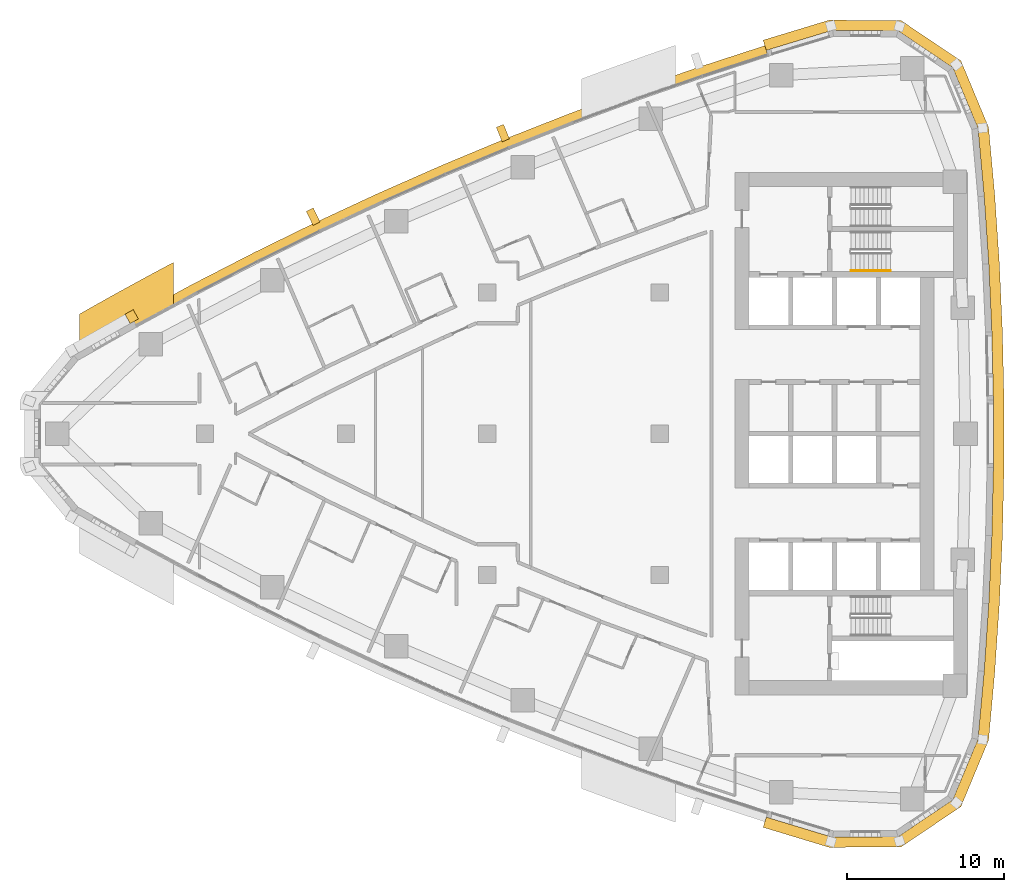
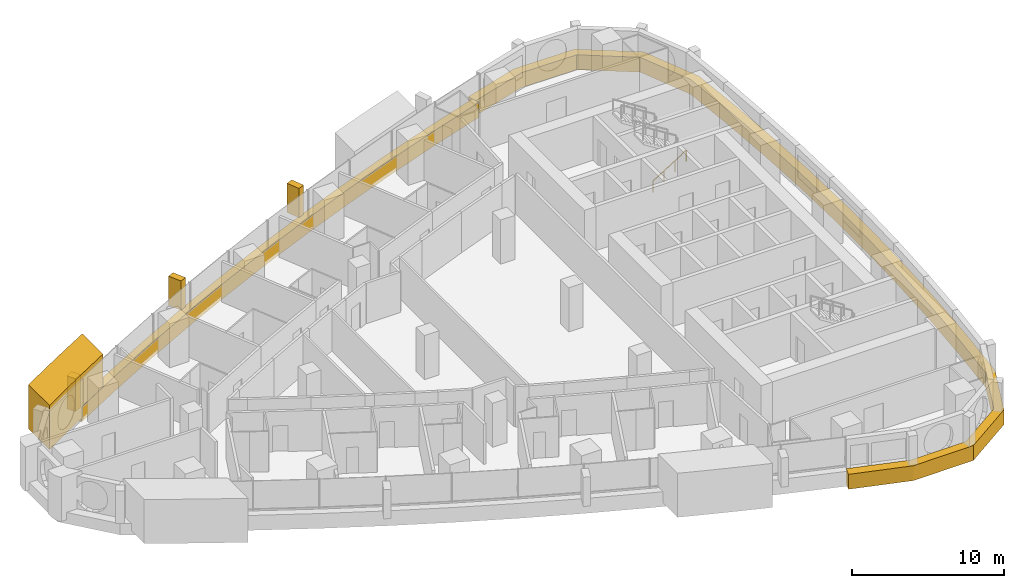
# One storey, part 16 of 17: 6 coverings, 1 railing.
"""IFC4 building model written with IfcOpenShell, lengths in metres."""

from ifc_helpers import new_model, si_unit, direction, frame, frame_2d, origin, origin_2d, place, context, subcontext, project, spatial, polyline, rectangle, circle, outline, extrude, material, layer, layer_set, type_object, element, save


model = new_model("IFC4")

# Units and contexts
model_context = context("Model", 3, precision=1e-05, world=origin(), true_north=direction((0.0, 1.0)))
body_context = subcontext(model_context, "Body", "Model", "MODEL_VIEW")
ifc_project = project(units=[si_unit("LENGTHUNIT", "METRE"), si_unit("AREAUNIT", "SQUARE_METRE"), si_unit("VOLUMEUNIT", "CUBIC_METRE"), si_unit("PLANEANGLEUNIT", "RADIAN"), si_unit("MASSUNIT", "GRAM", prefix="KILO")], contexts=[model_context])

# Site, building, storey
site_placement = place(None, origin())
site = spatial("IfcSite", under=ifc_project, at=site_placement, CompositionType="ELEMENT")
building_placement = place(site_placement, origin())
building = spatial("IfcBuilding", under=site, at=building_placement, Name="Ostrand Prow Hotel Tower", CompositionType="ELEMENT")
storey_placement = place(building_placement, frame((0.0, 0.0, 151.5)))
storey = spatial("IfcBuildingStorey", under=building, at=storey_placement, Name="L37", CompositionType="ELEMENT", Elevation=151.5)

# Coverings
ifc_material_1 = material(Name="Bronze anodised aluminium cladding", Category="aluminium")
ifc_layer_1 = layer(ifc_material_1, 0.60009765625)
ifc_layer_set_1 = layer_set([ifc_layer_1], Name="Bronze anodised aluminium cladding")
covering_type_1 = type_object("IfcCoveringType", Name="Bronze spandrel band 1200x600", PredefinedType="CLADDING", material=ifc_layer_set_1)
covering_1_placement = place(storey_placement, frame((0.0, 0.0, -0.300048828125)))
element("IfcCovering", 1, at=covering_1_placement, inside=storey, type_object=covering_type_1, Name="Spandrel band N1", PredefinedType="CLADDING", context=body_context, shape_type="SweptSolid", body=[
    extrude(outline(polyline([(51.705322265625, 24.74560546875), (47.522705078125, 23.385009765625), (43.368408203125, 21.9404296875), (39.243896484375, 20.41259765625), (35.15087890625, 18.80224609375), (31.091064453125, 17.110107421875), (27.06591796875, 15.336669921875), (23.077392578125, 13.482666015625), (19.126953125, 11.548828125), (15.21630859375, 9.535888671875), (11.3466796875, 7.445068359375), (11.63720703125, 6.920166015625), (15.49609375, 9.00537109375), (19.396240234375, 11.0126953125), (23.335693359375, 12.941162109375), (27.3134765625, 14.7900390625), (31.327392578125, 16.55859375), (35.376220703125, 18.24609375), (39.457763671875, 19.85205078125), (43.571044921875, 21.375732421875), (47.714111328125, 22.81640625), (51.88525390625, 24.17333984375), (51.705322265625, 24.74560546875)])), origin(), (0.0, 0.0, 1.0), 1.199951171875),
])
covering_2_placement = place(storey_placement, frame((0.0, 0.0, -0.300048828125)))
element("IfcCovering", 2, at=covering_2_placement, inside=storey, type_object=covering_type_1, Name="Spandrel band back 1", PredefinedType="CLADDING", context=body_context, shape_type="SweptSolid", body=[
    extrude(outline(polyline([(51.594970703125, -25.0966796875), (55.811279296875, -26.375244140625), (60.402099609375, -26.339111328125), (64.211181640625, -23.77587890625), (65.973388671875, -19.53662109375), (66.3662109375, -15.205322265625), (66.66064453125, -10.86669921875), (66.857177734375, -6.522216796875), (66.95556640625, -2.17431640625), (66.95556640625, 2.17431640625), (66.857177734375, 6.522216796875), (66.66064453125, 10.86669921875), (66.3662109375, 15.205322265625), (65.973388671875, 19.53662109375), (64.211181640625, 23.77587890625), (60.402099609375, 26.339111328125), (55.811279296875, 26.375244140625), (51.594970703125, 25.0966796875), (51.798828125, 24.447998046875), (56.001953125, 25.722412109375), (60.201171875, 25.689697265625), (63.68505859375, 23.34521484375), (65.296875, 19.467529296875), (65.688232421875, 15.151611328125), (65.981689453125, 10.828125), (66.177490234375, 6.4990234375), (66.275634765625, 2.166748046875), (66.275634765625, -2.166748046875), (66.177490234375, -6.4990234375), (65.981689453125, -10.828125), (65.688232421875, -15.151611328125), (65.296875, -19.467529296875), (63.68505859375, -23.34521484375), (60.201171875, -25.689697265625), (56.001953125, -25.722412109375), (51.798828125, -24.447998046875), (51.594970703125, -25.0966796875)])), origin(), (0.0, 0.0, 1.0), 1.199951171875),
])
ifc_material_2 = material(Name="Limestone cladding", Category="masonry")
ifc_layer_2 = layer(ifc_material_2, 5.0)
ifc_layer_set_2 = layer_set([ifc_layer_2], Name="Limestone cladding")
covering_type_2 = type_object("IfcCoveringType", Name="Portal jamb pilaster limestone", PredefinedType="CLADDING", material=ifc_layer_set_2)
covering_3_placement = place(storey_placement, origin())
element("IfcCovering", 3, at=covering_3_placement, inside=storey, type_object=covering_type_2, Name="Portal jamb NA L37", PredefinedType="CLADDING", context=body_context, shape_type="SweptSolid", body=[
    extrude(outline(polyline([(8.0, 4.861572265625), (9.0, 5.436767578125), (10.0, 6.0048828125), (11.0, 6.566162109375), (12.0, 7.12060546875), (13.0, 7.66796875), (14.0, 8.208740234375), (14.0, 10.92919921875), (13.0, 10.39599609375), (12.0, 9.856201171875), (11.0, 9.3095703125), (10.0, 8.75634765625), (9.0, 8.1962890625), (8.0, 7.62939453125), (8.0, 4.861572265625)])), origin(), (0.0, 0.0, 1.0), 3.550048828125),
])
ifc_material_3 = material(Name="Limestone cladding", Category="masonry")
ifc_layer_3 = layer(ifc_material_3, 0.5)
ifc_layer_set_3 = layer_set([ifc_layer_3], Name="Limestone cladding")
covering_type_3 = type_object("IfcCoveringType", Name="Precast stone fin 500x900", PredefinedType="CLADDING", material=ifc_layer_set_3)
covering_4_placement = place(storey_placement, frame((35.188232421875, 18.709716796875, 0.89990234375), z_axis=(0.0, 0.0, 1.0), x_axis=(-0.375302653349, 0.926902324082, 0.0)))
element("IfcCovering", 4, at=covering_4_placement, inside=storey, type_object=covering_type_3, Name="Stone fin N 5", PredefinedType="CLADDING", context=body_context, shape_type="SweptSolid", body=[
    extrude(rectangle(XDim=0.999755859375, YDim=0.5, at=frame_2d((0.5, 0.0))), origin(), (0.0, 0.0, 1.0), 2.35009765625),
])
covering_5_placement = place(storey_placement, frame((23.12060546875, 13.392333984375, 0.89990234375), z_axis=(0.0, 0.0, 1.0), x_axis=(-0.430634686673, 0.902526324621, 0.0)))
element("IfcCovering", 5, at=covering_5_placement, inside=storey, type_object=covering_type_3, Name="Stone fin N 8", PredefinedType="CLADDING", context=body_context, shape_type="SweptSolid", body=[
    extrude(rectangle(XDim=1.0, YDim=0.5, at=frame_2d((0.5, 0.0))), origin(), (0.0, 0.0, 1.0), 2.35009765625),
])
ifc_material_4 = material(Name="Limestone cladding", Category="masonry")
ifc_layer_4 = layer(ifc_material_4, 0.60009765625)
ifc_layer_set_4 = layer_set([ifc_layer_4], Name="Limestone cladding")
covering_type_4 = type_object("IfcCoveringType", Name="Precast stone prow rib 600x600", PredefinedType="CLADDING", material=ifc_layer_set_4)
covering_6_placement = place(storey_placement, frame((11.497802734375, 7.171875, 0.60009765625), z_axis=(0.0, 0.0, 1.0), x_axis=(-0.484301161624, 0.874901357211, 0.0)))
element("IfcCovering", 6, at=covering_6_placement, inside=storey, type_object=covering_type_4, Name="Stone prow rib 1", PredefinedType="CLADDING", context=body_context, shape_type="SweptSolid", body=[
    extrude(rectangle(XDim=0.679931640625, YDim=0.60009765625, at=frame_2d((0.33984375, 0.0))), origin(), (0.0, 0.0, 1.0), 2.64990234375),
])

# Railing
ifc_material_5 = material(Name="Stainless steel", Category="steel")
railing_type = type_object("IfcRailingType", Name="Stair handrail 900", PredefinedType="HANDRAIL", material=ifc_material_5)
railing_placement = place(storey_placement, frame((57.199951171875, 10.39990234375, 0.177490234375)))
element("IfcRailing", 7, at=railing_placement, inside=storey, type_object=railing_type, Name="L37 ST1C stair handrail 1", PredefinedType="HANDRAIL", context=body_context, shape_type="SweptSolid", body=[
    extrude(circle(Radius=0.02392578125, at=origin_2d()), frame((0.0, 0.0, 0.8759765625), z_axis=(0.84460694969, 0.0, 0.535386869969), x_axis=(0.0, 1.0, 0.0)), (0.0, 0.0, 1.0), 2.983642578125),
    extrude(circle(Radius=0.02099609375, at=origin_2d()), origin(), (0.0, 0.0, 1.0), 0.851806640625),
    extrude(circle(Radius=0.02099609375, at=origin_2d()), frame((0.840087890625, 0.0, 0.532470703125)), (0.0, 0.0, 1.0), 0.851806640625),
    extrude(circle(Radius=0.02099609375, at=origin_2d()), frame((1.679931640625, 0.0, 1.06494140625)), (0.0, 0.0, 1.0), 0.851806640625),
    extrude(circle(Radius=0.02099609375, at=origin_2d()), frame((2.52001953125, 0.0, 1.597412109375)), (0.0, 0.0, 1.0), 0.851806640625),
])

save(model, "model.ifc")
